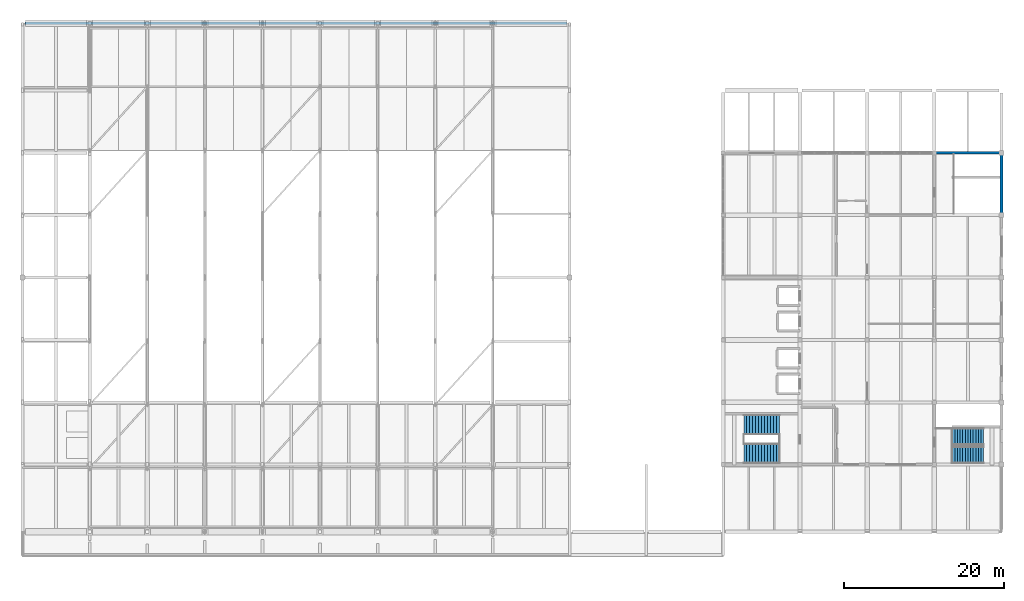
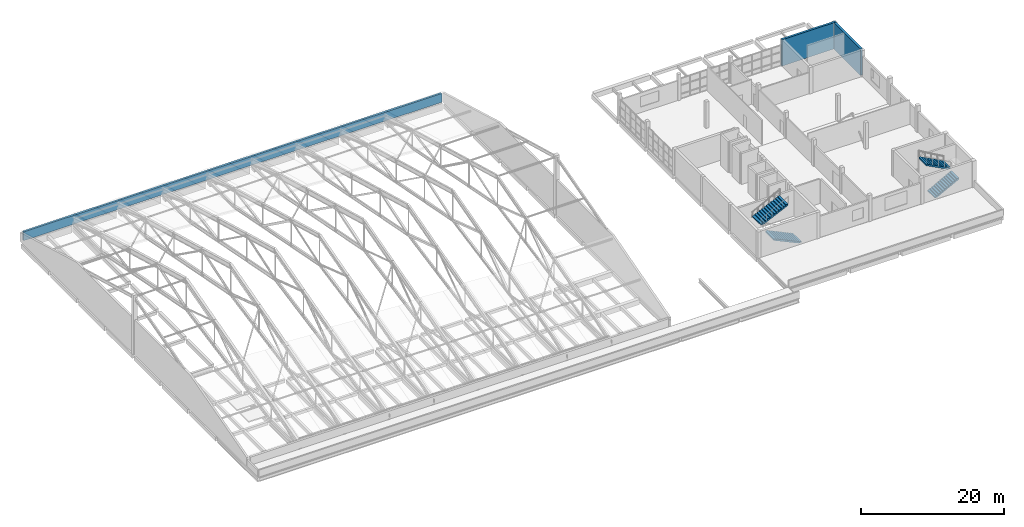
# One storey, part 51 of 53: 4 stair flights, 3 walls, 2 elements without a shape of their own.
"""IFC4 building model written with IfcOpenShell, lengths in metres."""

from ifc_helpers import new_model, si_unit, direction, frame, frame_2d, origin, place, context, subcontext, project, spatial, polyline, rectangle, outline, extrude, material, layer, layer_set, type_object, element, aggregate, save


model = new_model("IFC4")

# Units and contexts
model_context = context("Model", 3, precision=1e-05, world=origin(), true_north=direction((0.0, 1.0)))
body_context = subcontext(model_context, "Body", "Model", "MODEL_VIEW")
ifc_project = project(units=[si_unit("LENGTHUNIT", "METRE"), si_unit("AREAUNIT", "SQUARE_METRE"), si_unit("VOLUMEUNIT", "CUBIC_METRE"), si_unit("PLANEANGLEUNIT", "RADIAN"), si_unit("MASSUNIT", "GRAM", prefix="KILO")], contexts=[model_context])

# Site, building, storey
site_placement = place(None, origin())
site = spatial("IfcSite", under=ifc_project, at=site_placement, CompositionType="ELEMENT")
building_placement = place(site_placement, origin())
building = spatial("IfcBuilding", under=site, at=building_placement, Name="Pellamere Symphony Hall", CompositionType="ELEMENT")
storey_placement = place(building_placement, frame((0.0, 0.0, 24.0)))
storey = spatial("IfcBuildingStorey", under=building, at=storey_placement, Name="L05", CompositionType="ELEMENT", Elevation=24.0)

# Walls
ifc_material_1 = material(Name="Concrete 40 MPa", Category="concrete")
ifc_layer_1 = layer(ifc_material_1, 0.35009765625, Name="Concrete 40 MPa")
ifc_layer_set_1 = layer_set([ifc_layer_1], Name="Concrete 40 MPa")
wall_type_1 = type_object("IfcWallType", Name="Structural Wall SW-03 350mm", PredefinedType="SHEAR", material=ifc_layer_set_1)
wall_1_placement = place(storey_placement, frame((164.22509765625, 77.39990234375, 0.0), z_axis=(0.0, 0.0, 1.0), x_axis=(1.0, 0.0, 0.0)))
element("IfcWall", 1, at=wall_1_placement, inside=storey, type_object=wall_type_1, Name="Stair ST05 Enclosure Wall N (L05)", PredefinedType="SHEAR", context=body_context, shape_type="SweptSolid", body=[
    extrude(rectangle(XDim=8.75, YDim=0.35009765625, at=frame_2d((4.375, 0.0))), origin(), (0.0, 0.0, 1.0), 4.5),
])
ifc_layer_2 = layer(ifc_material_1, 0.3798828125, Name="Concrete 40 MPa")
ifc_layer_set_2 = layer_set([ifc_layer_2], Name="Concrete 40 MPa")
wall_type_2 = type_object("IfcWallType", Name="Structural Wall SW-07 380mm", PredefinedType="SHEAR", material=ifc_layer_set_2)
wall_2_placement = place(storey_placement, frame((172.800048828125, 69.77490234375, 0.0), z_axis=(0.0, 0.0, 1.0), x_axis=(0.0, 1.0, 0.0)))
element("IfcWall", 2, at=wall_2_placement, inside=storey, type_object=wall_type_2, Name="Stair ST05 Enclosure Wall E (L05)", PredefinedType="SHEAR", context=body_context, shape_type="SweptSolid", body=[
    extrude(rectangle(XDim=7.4501953125, YDim=0.3798828125, at=frame_2d((3.72509765625, 0.0))), origin(), (0.0, 0.0, 1.0), 4.5),
])
ifc_material_2 = material(Name="Precast concrete 40 MPa", Category="concrete")
ifc_layer_3 = layer(ifc_material_2, 0.330078125, Name="Precast concrete 40 MPa")
ifc_layer_set_3 = layer_set([ifc_layer_3], Name="Precast concrete 40 MPa")
wall_type_3 = type_object("IfcWallType", Name="Structural Wall SW-09 330mm", PredefinedType="SOLIDWALL", material=ifc_layer_set_3)
wall_3_placement = place(storey_placement, frame((50.72998046875, 93.60009765625, 0.0), z_axis=(0.0, 0.0, 1.0), x_axis=(1.0, 0.0, 0.0)))
element("IfcWall", 3, at=wall_3_placement, inside=storey, type_object=wall_type_3, Name="Main Hall Roof Eave Acoustic Fascia Wall N", PredefinedType="SOLIDWALL", context=body_context, shape_type="SweptSolid", body=[
    extrude(rectangle(XDim=67.739990234375, YDim=0.330078125, at=frame_2d((33.8701171875, 0.0))), origin(), (0.0, 0.0, 1.0), 1.5),
])

# Stair, stair flights
stair_type_1 = type_object("IfcStairType", Name="Stair ST-A W2400", PredefinedType="HALF_TURN_STAIR", material=ifc_material_1)
stair_1_placement = place(storey_placement, origin())
stair_1 = element("IfcStair", 4, at=stair_1_placement, inside=storey, type_object=stair_type_1, Name="Exit Stair ST02-L05 (L05 to RF)", PredefinedType="HALF_TURN_STAIR")
stair_flight_type_1 = type_object("IfcStairFlightType", Name="Stair Flight SF-A W2400", PredefinedType="STRAIGHT", material=ifc_material_1)
stair_flight_1_placement = place(storey_placement, frame((145.02490234375, 39.760009765625, 0.0), z_axis=(0.0, 0.0, 1.0), x_axis=(-1.0, 0.0, 0.0)))
stair_flight_1 = element("IfcStairFlight", 5, at=stair_flight_1_placement, type_object=stair_flight_type_1, Name="Stair ST02-L05 Lower Flight (L05)", NumberOfRisers=13, NumberOfTreads=12, PredefinedType="STRAIGHT", RiserHeight=0.17308, TreadLength=0.37083, context=body_context, shape_type="SweptSolid", body=[
    extrude(outline(polyline([(0.0, 0.0), (0.0, 0.173095703125), (0.370849609375, 0.173095703125), (0.370849609375, 0.34619140625), (0.74169921875, 0.34619140625), (0.74169921875, 0.519287109375), (1.112548828125, 0.519287109375), (1.112548828125, 0.6923828125), (1.4833984375, 0.6923828125), (1.4833984375, 0.865478515625), (1.854248046875, 0.865478515625), (1.854248046875, 1.03857421875), (2.22509765625, 1.03857421875), (2.22509765625, 1.211669921875), (2.595703125, 1.211669921875), (2.595703125, 1.384521484375), (2.966552734375, 1.384521484375), (2.966552734375, 1.5576171875), (3.33740234375, 1.5576171875), (3.33740234375, 1.730712890625), (3.708251953125, 1.730712890625), (3.708251953125, 1.90380859375), (4.0791015625, 1.90380859375), (4.0791015625, 2.076904296875), (4.449951171875, 2.076904296875), (4.449951171875, 2.25), (4.449951171875, 1.856201171875), (0.47265625, 0.0), (0.0, 0.0)])), frame((0.0, 1.199951171875, 0.0), z_axis=(0.0, -1.0, 0.0), x_axis=(1.0, 0.0, 0.0)), (0.0, 0.0, 1.0), 2.39990234375),
])
stair_flight_2_placement = place(storey_placement, frame((140.574951171875, 43.43994140625, 2.25), z_axis=(0.0, 0.0, 1.0), x_axis=(1.0, 0.0, 0.0)))
stair_flight_2 = element("IfcStairFlight", 6, at=stair_flight_2_placement, type_object=stair_flight_type_1, Name="Stair ST02-L05 Upper Flight (L05)", NumberOfRisers=13, NumberOfTreads=12, PredefinedType="STRAIGHT", RiserHeight=0.17308, TreadLength=0.37083, context=body_context, shape_type="SweptSolid", body=[
    extrude(outline(polyline([(0.0, 0.0), (0.0, 0.173095703125), (0.370849609375, 0.173095703125), (0.370849609375, 0.34619140625), (0.74169921875, 0.34619140625), (0.74169921875, 0.519287109375), (1.112548828125, 0.519287109375), (1.112548828125, 0.6923828125), (1.4833984375, 0.6923828125), (1.4833984375, 0.865478515625), (1.854248046875, 0.865478515625), (1.854248046875, 1.03857421875), (2.22509765625, 1.03857421875), (2.22509765625, 1.211669921875), (2.595703125, 1.211669921875), (2.595703125, 1.384521484375), (2.966552734375, 1.384521484375), (2.966552734375, 1.5576171875), (3.33740234375, 1.5576171875), (3.33740234375, 1.730712890625), (3.708251953125, 1.730712890625), (3.708251953125, 1.90380859375), (4.0791015625, 1.90380859375), (4.0791015625, 2.076904296875), (4.449951171875, 2.076904296875), (4.449951171875, 2.25), (4.449951171875, 1.856201171875), (0.47265625, 0.0), (0.0, 0.0)])), frame((0.0, 1.199951171875, 0.0), z_axis=(0.0, -1.0, 0.0), x_axis=(1.0, 0.0, 0.0)), (0.0, 0.0, 1.0), 2.39990234375),
])
aggregate(stair_1, [stair_flight_1, stair_flight_2])

stair_type_2 = type_object("IfcStairType", Name="Stair ST-B W2050", PredefinedType="HALF_TURN_STAIR", material=ifc_material_1)
stair_2_placement = place(storey_placement, origin())
stair_2 = element("IfcStair", 7, at=stair_2_placement, inside=storey, type_object=stair_type_2, Name="Exit Stair ST06-L05 (L05 to RF)", PredefinedType="HALF_TURN_STAIR")
stair_flight_type_2 = type_object("IfcStairFlightType", Name="Stair Flight SF-B W2050", PredefinedType="STRAIGHT", material=ifc_material_1)
stair_flight_3_placement = place(storey_placement, frame((166.625, 39.5849609375, 0.0), z_axis=(0.0, 0.0, 1.0), x_axis=(1.0, 0.0, 0.0)))
stair_flight_3 = element("IfcStairFlight", 8, at=stair_flight_3_placement, type_object=stair_flight_type_2, Name="Stair ST06-L05 Lower Flight (L05)", NumberOfRisers=13, NumberOfTreads=12, PredefinedType="STRAIGHT", RiserHeight=0.17308, TreadLength=0.32917, context=body_context, shape_type="SweptSolid", body=[
    extrude(outline(polyline([(0.0, 0.0), (0.0, 0.173095703125), (0.3291015625, 0.173095703125), (0.3291015625, 0.34619140625), (0.658447265625, 0.34619140625), (0.658447265625, 0.519287109375), (0.987548828125, 0.519287109375), (0.987548828125, 0.6923828125), (1.316650390625, 0.6923828125), (1.316650390625, 0.865478515625), (1.645751953125, 0.865478515625), (1.645751953125, 1.03857421875), (1.97509765625, 1.03857421875), (1.97509765625, 1.211669921875), (2.30419921875, 1.211669921875), (2.30419921875, 1.384521484375), (2.63330078125, 1.384521484375), (2.63330078125, 1.5576171875), (2.962646484375, 1.5576171875), (2.962646484375, 1.730712890625), (3.291748046875, 1.730712890625), (3.291748046875, 1.90380859375), (3.620849609375, 1.90380859375), (3.620849609375, 2.076904296875), (3.949951171875, 2.076904296875), (3.949951171875, 2.25), (3.949951171875, 1.85107421875), (0.4296875, 0.0), (0.0, 0.0)])), frame((0.0, 1.02490234375, 0.0), z_axis=(0.0, -1.0, 0.0), x_axis=(1.0, 0.0, 0.0)), (0.0, 0.0, 1.0), 2.050048828125),
])
stair_flight_4_placement = place(storey_placement, frame((170.574951171875, 41.97509765625, 2.25), z_axis=(0.0, 0.0, 1.0), x_axis=(-1.0, 0.0, 0.0)))
stair_flight_4 = element("IfcStairFlight", 9, at=stair_flight_4_placement, type_object=stair_flight_type_2, Name="Stair ST06-L05 Upper Flight (L05)", NumberOfRisers=13, NumberOfTreads=12, PredefinedType="STRAIGHT", RiserHeight=0.17308, TreadLength=0.32917, context=body_context, shape_type="SweptSolid", body=[
    extrude(outline(polyline([(0.0, 0.0), (0.0, 0.173095703125), (0.3291015625, 0.173095703125), (0.3291015625, 0.34619140625), (0.658447265625, 0.34619140625), (0.658447265625, 0.519287109375), (0.987548828125, 0.519287109375), (0.987548828125, 0.6923828125), (1.316650390625, 0.6923828125), (1.316650390625, 0.865478515625), (1.645751953125, 0.865478515625), (1.645751953125, 1.03857421875), (1.97509765625, 1.03857421875), (1.97509765625, 1.211669921875), (2.30419921875, 1.211669921875), (2.30419921875, 1.384521484375), (2.63330078125, 1.384521484375), (2.63330078125, 1.5576171875), (2.962646484375, 1.5576171875), (2.962646484375, 1.730712890625), (3.291748046875, 1.730712890625), (3.291748046875, 1.90380859375), (3.620849609375, 1.90380859375), (3.620849609375, 2.076904296875), (3.949951171875, 2.076904296875), (3.949951171875, 2.25), (3.949951171875, 1.85107421875), (0.4296875, 0.0), (0.0, 0.0)])), frame((0.0, 1.02490234375, 0.0), z_axis=(0.0, -1.0, 0.0), x_axis=(1.0, 0.0, 0.0)), (0.0, 0.0, 1.0), 2.050048828125),
])
aggregate(stair_2, [stair_flight_3, stair_flight_4])

save(model, "model.ifc")
